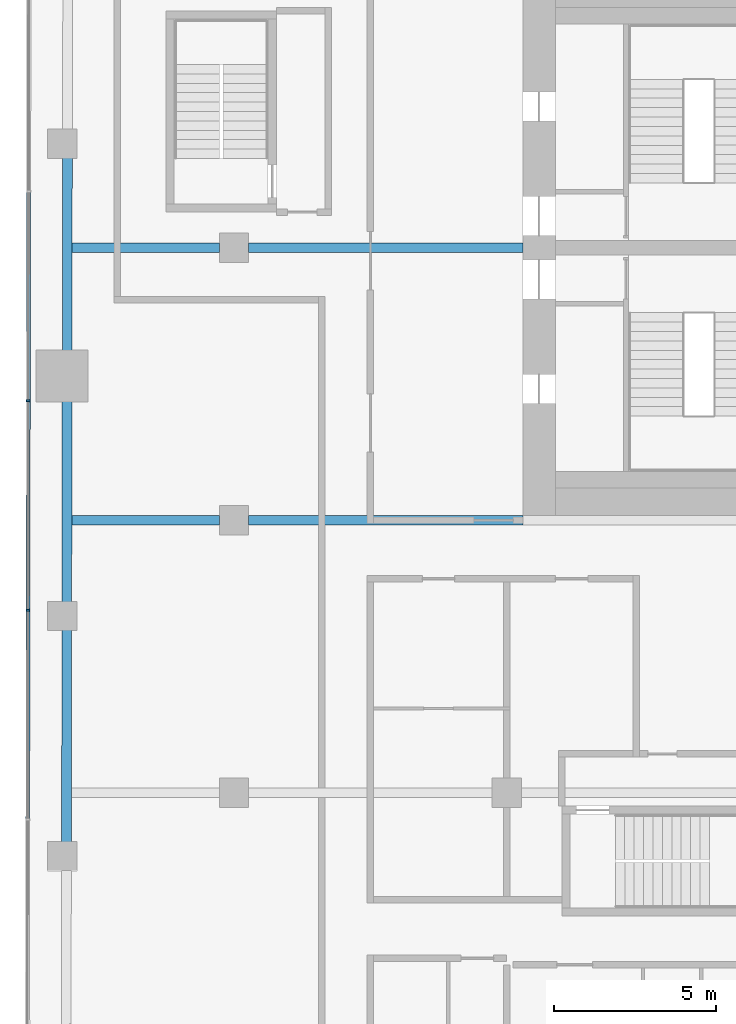
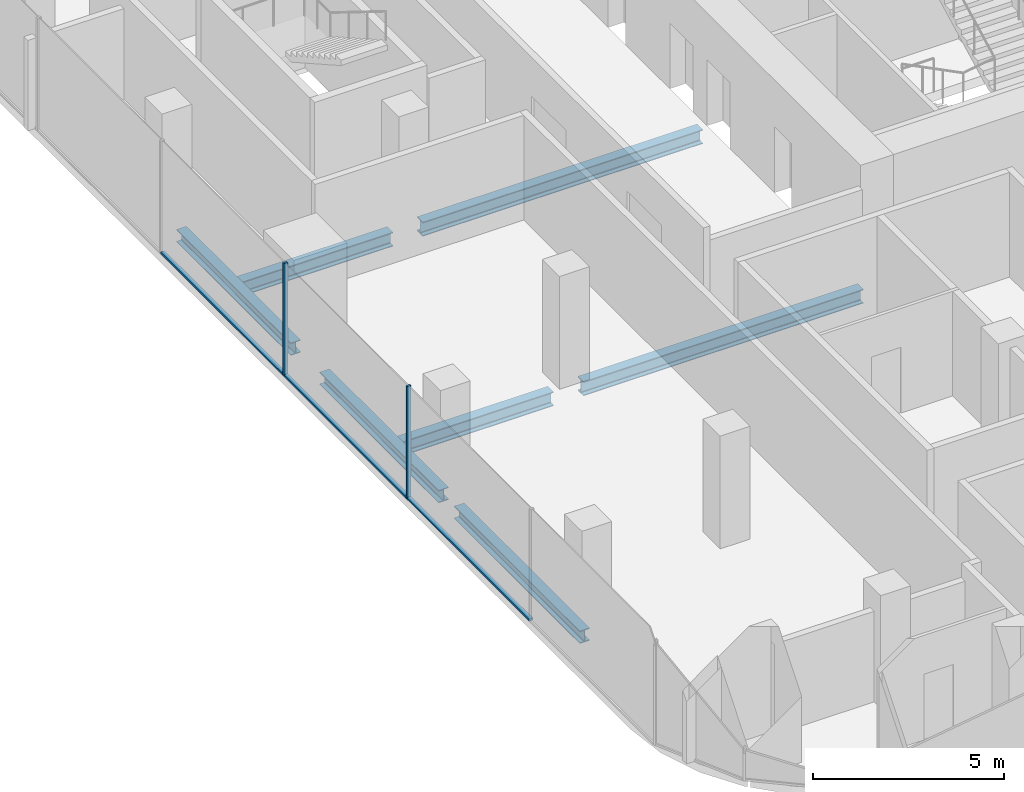
# One storey, part 4 of 21: 7 beams, 5 members, 1 element without a shape of its own.
"""IFC4 building model written with IfcOpenShell, lengths in metres."""

from ifc_helpers import new_model, si_unit, direction, frame, origin, origin_2d, place, context, subcontext, project, spatial, rectangle, i_section, extrude, material, layer, layer_set, material_profile, profile_set, type_object, element, aggregate, save


model = new_model("IFC4")

# Units and contexts
model_context = context("Model", 3, precision=1e-05, world=origin(), true_north=direction((0.0, 1.0)))
body_context = subcontext(model_context, "Body", "Model", "MODEL_VIEW")
ifc_project = project(units=[si_unit("LENGTHUNIT", "METRE"), si_unit("AREAUNIT", "SQUARE_METRE"), si_unit("VOLUMEUNIT", "CUBIC_METRE"), si_unit("PLANEANGLEUNIT", "RADIAN"), si_unit("MASSUNIT", "GRAM", prefix="KILO")], contexts=[model_context])

# Site, building, storey
site_placement = place(None, origin())
site = spatial("IfcSite", under=ifc_project, at=site_placement, CompositionType="ELEMENT")
building_placement = place(site_placement, origin())
building = spatial("IfcBuilding", under=site, at=building_placement, Name="Marenta Gate Hotel Tower", CompositionType="ELEMENT")
storey_placement = place(building_placement, frame((0.0, 0.0, 133.699951171875)))
storey = spatial("IfcBuildingStorey", under=building, at=storey_placement, Name="L30", CompositionType="ELEMENT", Elevation=133.699951171875)

# Beams
ifc_material_1 = material(Name="Steel S355", Category="steel")
ifc_material_profile_1 = material_profile(ifc_material_1, i_section(OverallWidth=0.300048828125, OverallDepth=0.39990234375, WebThickness=0.013427734375, FlangeThickness=0.02392578125, FilletRadius=0.027099609375, at=origin_2d()), Name="HEB 400")
ifc_profile_set_1 = profile_set([ifc_material_profile_1], Name="Steel S355")
beam_type_1 = type_object("IfcBeamType", Name="Edge beam HEB 400", PredefinedType="SPANDREL", material=ifc_profile_set_1)
beam_1_placement = place(storey_placement, frame((-26.167236328125, -9.94189453125, -0.4599609375), z_axis=(0.001372605919, 0.999999057976, 0.0), x_axis=(-0.999999057976, 0.001372605919, 0.0)))
element("IfcBeam", 1, at=beam_1_placement, inside=storey, type_object=beam_type_1, Name="L30-EB-6", PredefinedType="SPANDREL", context=body_context, shape_type="SweptSolid", body=[
    extrude(i_section(OverallWidth=0.300048828125, OverallDepth=0.39990234375, WebThickness=0.013427734375, FlangeThickness=0.02392578125, FilletRadius=0.027099609375, at=origin_2d()), origin(), (0.0, 0.0, 1.0), 6.5810546875),
])
beam_2_placement = place(storey_placement, frame((-26.156982421875, -2.541015625, -0.4599609375), z_axis=(0.001371364591, 0.999999059679, 0.0), x_axis=(-0.999999059679, 0.001371364591, 0.0)))
element("IfcBeam", 2, at=beam_2_placement, inside=storey, type_object=beam_type_1, Name="L30-EB-7", PredefinedType="SPANDREL", context=body_context, shape_type="SweptSolid", body=[
    extrude(i_section(OverallWidth=0.300048828125, OverallDepth=0.39990234375, WebThickness=0.013427734375, FlangeThickness=0.02392578125, FilletRadius=0.027099609375, at=origin_2d()), origin(), (0.0, 0.0, 1.0), 6.23095703125),
])
beam_3_placement = place(storey_placement, frame((-26.146484375, 5.2099609375, -0.4599609375), z_axis=(0.001387357379, 0.999999037619, 0.0), x_axis=(-0.999999037619, 0.001387357379, 0.0)))
element("IfcBeam", 3, at=beam_3_placement, inside=storey, type_object=beam_type_1, Name="L30-EB-8", PredefinedType="SPANDREL", context=body_context, shape_type="SweptSolid", body=[
    extrude(i_section(OverallWidth=0.300048828125, OverallDepth=0.39990234375, WebThickness=0.013427734375, FlangeThickness=0.02392578125, FilletRadius=0.027099609375, at=origin_2d()), origin(), (0.0, 0.0, 1.0), 5.983154296875),
])
ifc_material_2 = material(Name="Steel S355", Category="steel")
ifc_material_profile_2 = material_profile(ifc_material_2, i_section(OverallWidth=0.300048828125, OverallDepth=0.449951171875, WebThickness=0.013916015625, FlangeThickness=0.02587890625, FilletRadius=0.027099609375, at=origin_2d()), Name="HEB 450")
ifc_profile_set_2 = profile_set([ifc_material_profile_2], Name="Steel S355")
beam_type_2 = type_object("IfcBeamType", Name="Girder HEB 450", PredefinedType="BEAM", material=ifc_profile_set_2)
beam_4_placement = place(storey_placement, frame((-26.003662109375, 0.0, -0.48486328125), z_axis=(1.0, 0.0, 0.0), x_axis=(0.0, 1.0, 0.0)))
element("IfcBeam", 4, at=beam_4_placement, inside=storey, type_object=beam_type_2, Name="L30-GD-15", PredefinedType="BEAM", context=body_context, shape_type="SweptSolid", body=[
    extrude(i_section(OverallWidth=0.300048828125, OverallDepth=0.449951171875, WebThickness=0.013916015625, FlangeThickness=0.02587890625, FilletRadius=0.027099609375, at=origin_2d()), origin(), (0.0, 0.0, 1.0), 4.5537109375),
])
beam_5_placement = place(storey_placement, frame((-20.550048828125, 0.0, -0.48486328125), z_axis=(1.0, 0.0, 0.0), x_axis=(0.0, 1.0, 0.0)))
element("IfcBeam", 5, at=beam_5_placement, inside=storey, type_object=beam_type_2, Name="L30-GD-16", PredefinedType="BEAM", context=body_context, shape_type="SweptSolid", body=[
    extrude(i_section(OverallWidth=0.300048828125, OverallDepth=0.449951171875, WebThickness=0.013916015625, FlangeThickness=0.02587890625, FilletRadius=0.027099609375, at=origin_2d()), origin(), (0.0, 0.0, 1.0), 8.449951171875),
])
beam_6_placement = place(storey_placement, frame((-25.991943359375, 8.39990234375, -0.48486328125), z_axis=(1.0, 0.0, 0.0), x_axis=(0.0, 1.0, 0.0)))
element("IfcBeam", 6, at=beam_6_placement, inside=storey, type_object=beam_type_2, Name="L30-GD-20", PredefinedType="BEAM", context=body_context, shape_type="SweptSolid", body=[
    extrude(i_section(OverallWidth=0.300048828125, OverallDepth=0.449951171875, WebThickness=0.013916015625, FlangeThickness=0.02587890625, FilletRadius=0.027099609375, at=origin_2d()), origin(), (0.0, 0.0, 1.0), 4.5419921875),
])
beam_7_placement = place(storey_placement, frame((-20.550048828125, 8.39990234375, -0.48486328125), z_axis=(1.0, 0.0, 0.0), x_axis=(0.0, 1.0, 0.0)))
element("IfcBeam", 7, at=beam_7_placement, inside=storey, type_object=beam_type_2, Name="L30-GD-21", PredefinedType="BEAM", context=body_context, shape_type="SweptSolid", body=[
    extrude(i_section(OverallWidth=0.300048828125, OverallDepth=0.449951171875, WebThickness=0.013916015625, FlangeThickness=0.02587890625, FilletRadius=0.027099609375, at=origin_2d()), origin(), (0.0, 0.0, 1.0), 8.449951171875),
])

# Curtain wall, members
ifc_material_3 = material(Name="Tinted insulated glass in bronze anodised frame", Category="glass")
ifc_layer = layer(ifc_material_3, 0.1201171875)
ifc_layer_set = layer_set([ifc_layer], Name="Tinted insulated glass in bronze anodised frame")
curtain_wall_type = type_object("IfcCurtainWallType", Name="Tower unitised curtain wall CW1", PredefinedType="NOTDEFINED", material=ifc_layer_set)
curtain_wall_placement = place(storey_placement, origin())
curtain_wall = element("IfcCurtainWall", 8, at=curtain_wall_placement, inside=storey, type_object=curtain_wall_type, Name="CW1 run G03", PredefinedType="NOTDEFINED")
ifc_material_4 = material(Name="Bronze anodised aluminium", Category="aluminium")
ifc_material_profile_3 = material_profile(ifc_material_4, rectangle(XDim=0.1201171875, YDim=0.06005859375, at=origin_2d()), Name="Mullion CW1 60x120 bronze anodised aluminium")
ifc_profile_set_3 = profile_set([ifc_material_profile_3], Name="Bronze anodised aluminium")
member_type_1 = type_object("IfcMemberType", Name="Mullion CW1 60x120 bronze anodised aluminium", PredefinedType="MULLION", material=ifc_profile_set_3)
member_1_placement = place(storey_placement, frame((-27.342529296875, 3.686279296875, 0.0), z_axis=(0.0, 0.0, 1.0), x_axis=(0.99999877375, -0.001566045546, 0.0)))
member_1 = element("IfcMember", 9, at=member_1_placement, type_object=member_type_1, Name="CW1 mullion 4", PredefinedType="MULLION", context=body_context, shape_type="SweptSolid", body=[
    extrude(rectangle(XDim=0.1201171875, YDim=0.06005859375, at=origin_2d()), origin(), (0.0, 0.0, 1.0), 3.60009765625),
])
member_2_placement = place(storey_placement, frame((-27.352783203125, -2.773681640625, 0.0), z_axis=(0.0, 0.0, 1.0), x_axis=(0.99999877375, -0.001566045546, 0.0)))
member_2 = element("IfcMember", 10, at=member_2_placement, type_object=member_type_1, Name="CW1 mullion 5", PredefinedType="MULLION", context=body_context, shape_type="SweptSolid", body=[
    extrude(rectangle(XDim=0.1201171875, YDim=0.06005859375, at=origin_2d()), origin(), (0.0, 0.0, 1.0), 3.60009765625),
])
ifc_material_5 = material(Name="Bronze anodised aluminium", Category="aluminium")
ifc_material_profile_4 = material_profile(ifc_material_5, rectangle(XDim=0.1201171875, YDim=0.06005859375, at=origin_2d()), Name="Transom CW1 60x120 bronze anodised aluminium")
ifc_profile_set_4 = profile_set([ifc_material_profile_4], Name="Bronze anodised aluminium")
member_type_2 = type_object("IfcMemberType", Name="Transom CW1 60x120 bronze anodised aluminium", PredefinedType="USERDEFINED", material=ifc_profile_set_4)
member_3_placement = place(storey_placement, frame((-27.33251953125, 10.1162109375, 0.030029296875), z_axis=(-0.001564047831, -0.999998776876, 0.0), x_axis=(0.999998776876, -0.001564047831, 0.0)))
member_3 = element("IfcMember", 11, at=member_3_placement, type_object=member_type_2, Name="CW1 transom 3.1", ObjectType="TRANSOM", PredefinedType="USERDEFINED", context=body_context, shape_type="SweptSolid", body=[
    extrude(rectangle(XDim=0.1201171875, YDim=0.06005859375, at=origin_2d()), origin(), (0.0, 0.0, 1.0), 6.39990234375),
])
member_4_placement = place(storey_placement, frame((-27.3427734375, 3.65625, 0.030029296875), z_axis=(-0.001563988169, -0.99999877697, 0.0), x_axis=(0.99999877697, -0.001563988169, 0.0)))
member_4 = element("IfcMember", 12, at=member_4_placement, type_object=member_type_2, Name="CW1 transom 4.1", ObjectType="TRANSOM", PredefinedType="USERDEFINED", context=body_context, shape_type="SweptSolid", body=[
    extrude(rectangle(XDim=0.1201171875, YDim=0.06005859375, at=origin_2d()), origin(), (0.0, 0.0, 1.0), 6.400146484375),
])
member_5_placement = place(storey_placement, frame((-27.352783203125, -2.8037109375, 0.030029296875), z_axis=(-0.001563988169, -0.99999877697, 0.0), x_axis=(0.99999877697, -0.001563988169, 0.0)))
member_5 = element("IfcMember", 13, at=member_5_placement, type_object=member_type_2, Name="CW1 transom 5.1", ObjectType="TRANSOM", PredefinedType="USERDEFINED", context=body_context, shape_type="SweptSolid", body=[
    extrude(rectangle(XDim=0.1201171875, YDim=0.06005859375, at=origin_2d()), origin(), (0.0, 0.0, 1.0), 6.400146484375),
])
aggregate(curtain_wall, [member_1, member_2, member_3, member_4, member_5])

save(model, "model.ifc")
